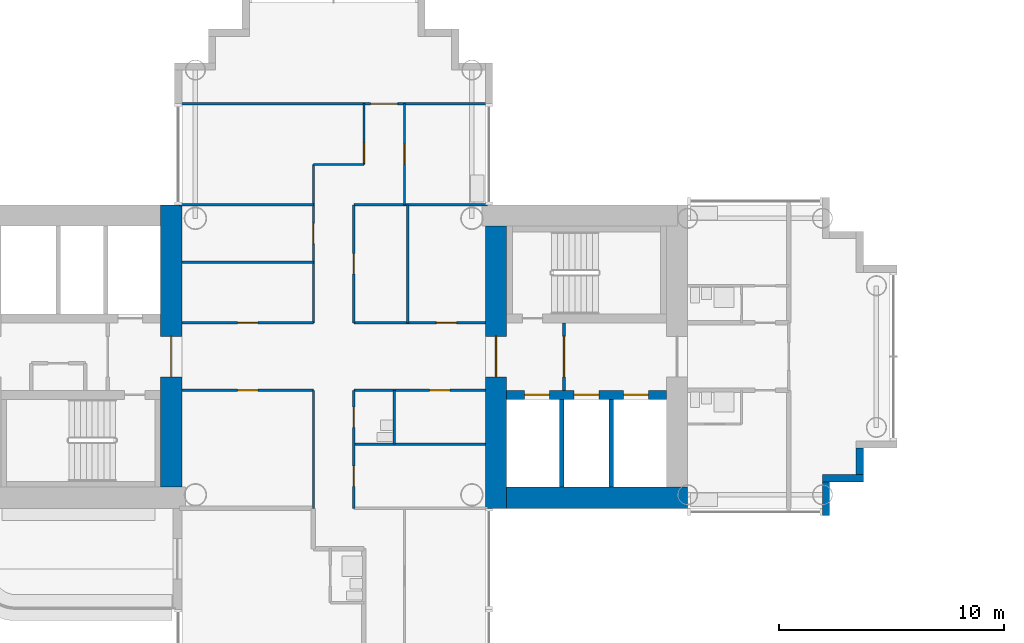
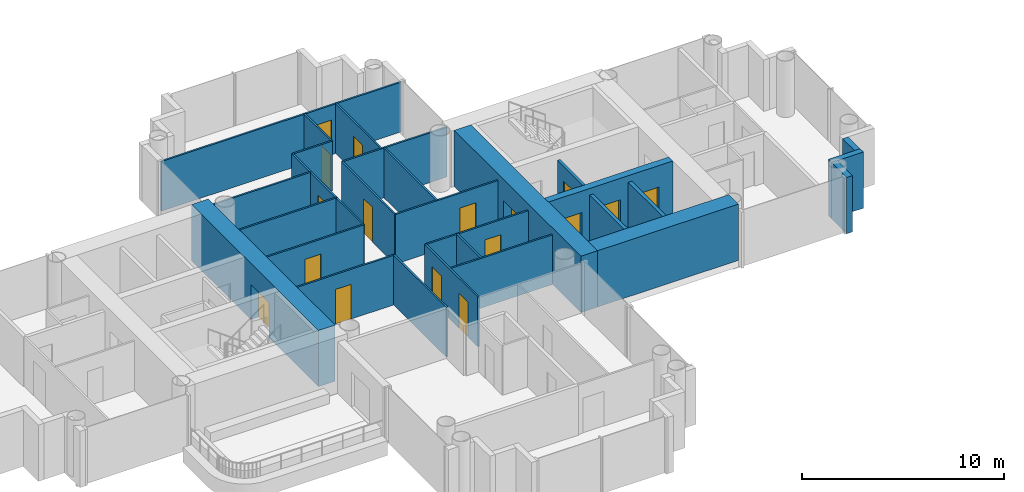
# One storey, part 10 of 21: 28 walls, 17 doors, 17 openings.
"""IFC4 building model written with IfcOpenShell, lengths in metres."""

from ifc_helpers import new_model, si_unit, direction, frame, frame_2d, origin, place, context, subcontext, project, spatial, rectangle, extrude, material, layer, layer_set, type_object, element, fill, save


model = new_model("IFC4")

# Units and contexts
model_context = context("Model", 3, precision=1e-05, world=origin(), true_north=direction((0.0, 1.0)))
body_context = subcontext(model_context, "Body", "Model", "MODEL_VIEW")
ifc_project = project(units=[si_unit("LENGTHUNIT", "METRE"), si_unit("AREAUNIT", "SQUARE_METRE"), si_unit("VOLUMEUNIT", "CUBIC_METRE"), si_unit("PLANEANGLEUNIT", "RADIAN"), si_unit("MASSUNIT", "GRAM", prefix="KILO")], contexts=[model_context])

# Site, building, storey
site_placement = place(None, origin())
site = spatial("IfcSite", under=ifc_project, at=site_placement, CompositionType="ELEMENT")
building_placement = place(site_placement, origin())
building = spatial("IfcBuilding", under=site, at=building_placement, Name="Ipe Terrace Towers", CompositionType="ELEMENT")
storey_placement = place(building_placement, frame((0.0, 0.0, 97.0)))
storey = spatial("IfcBuildingStorey", under=building, at=storey_placement, Name="L26", CompositionType="ELEMENT", Elevation=97.0)

# Walls
ifc_material_1 = material(Name="Concrete C40/50 with buff precast cladding", Category="concrete")
ifc_layer_1 = layer(ifc_material_1, 0.320068359375)
ifc_layer_set_1 = layer_set([ifc_layer_1], Name="BUFF CLADDING WALL 320")
wall_type_1 = type_object("IfcWallType", Name="BUFF CLADDING WALL 320", PredefinedType="STANDARD", material=ifc_layer_set_1)
wall_1_placement = place(storey_placement, frame((-14.090087890625, -7.070068359375, -0.300048828125), z_axis=(0.0, 0.0, 1.0), x_axis=(0.0, 1.0, 0.0)))
element("IfcWall", 1, at=wall_1_placement, inside=storey, type_object=wall_type_1, Name="T1-W-L26-21a wall", PredefinedType="STANDARD", context=body_context, shape_type="SweptSolid", body=[
    extrude(rectangle(XDim=1.5, YDim=0.320068359375, at=frame_2d((0.75, 0.0))), origin(), (0.0, 0.0, 1.0), 3.400146484375),
])
wall_2_placement = place(storey_placement, frame((-14.25, -5.409912109375, -0.300048828125), z_axis=(0.0, 0.0, 1.0), x_axis=(1.0, 0.0, 0.0)))
element("IfcWall", 2, at=wall_2_placement, inside=storey, type_object=wall_type_1, Name="T1-W-L26-22a wall", PredefinedType="STANDARD", context=body_context, shape_type="SweptSolid", body=[
    extrude(rectangle(XDim=1.820068359375, YDim=0.320068359375, at=frame_2d((0.91015625, 0.0))), origin(), (0.0, 0.0, 1.0), 3.400146484375),
])
wall_3_placement = place(storey_placement, frame((-12.590087890625, -5.25, -0.300048828125), z_axis=(0.0, 0.0, 1.0), x_axis=(0.0, 1.0, 0.0)))
element("IfcWall", 3, at=wall_3_placement, inside=storey, type_object=wall_type_1, Name="T1-W-L26-23a wall", PredefinedType="STANDARD", context=body_context, shape_type="SweptSolid", body=[
    extrude(rectangle(XDim=1.179931640625, YDim=0.320068359375, at=frame_2d((0.58984375, 0.0))), origin(), (0.0, 0.0, 1.0), 3.400146484375),
])
ifc_material_2 = material(Name="Gypsum board partition", Category="plasterboard")
ifc_layer_2 = layer(ifc_material_2, 0.10009765625)
ifc_layer_set_2 = layer_set([ifc_layer_2], Name="Gypsum board partition 100 mm")
wall_type_2 = type_object("IfcWallType", Name="Gypsum board partition 100 mm", PredefinedType="PARTITIONING", material=ifc_layer_set_2)
wall_4_placement = place(storey_placement, frame((-36.89990234375, -6.75, 0.0), z_axis=(0.0, 0.0, 1.0), x_axis=(0.0, 1.0, 0.0)))
element("IfcWall", 4, at=wall_4_placement, inside=storey, type_object=wall_type_2, Name="Gypsum board partition T1 L26 W04", PredefinedType="PARTITIONING", context=body_context, shape_type="SweptSolid", body=[
    extrude(rectangle(XDim=5.25, YDim=0.10009765625, at=frame_2d((2.625, 0.0))), origin(), (0.0, 0.0, 1.0), 3.0),
])

# Wall, opening, door
wall_5_placement = place(storey_placement, frame((-36.89990234375, 1.5, 0.0), z_axis=(0.0, 0.0, 1.0), x_axis=(0.0, 1.0, 0.0)))
wall_5 = element("IfcWall", 5, at=wall_5_placement, inside=storey, type_object=wall_type_2, Name="Gypsum board partition T1 L26 W05", PredefinedType="PARTITIONING", context=body_context, shape_type="SweptSolid", body=[
    extrude(rectangle(XDim=7.050048828125, YDim=0.10009765625, at=frame_2d((3.52490234375, 0.0))), origin(), (0.0, 0.0, 1.0), 3.0),
])
opening_1_placement = place(wall_5_placement, frame((3.52490234375, 0.0, 0.0)))
opening_1 = element("IfcOpeningElement", 6, at=opening_1_placement, cuts=wall_5, Name="Opening T1-Z2E-05", PredefinedType="OPENING", context=body_context, shape_type="SweptSolid", body=[
    extrude(rectangle(XDim=0.89990234375, YDim=2.10009765625, at=frame_2d((0.449951171875, 1.050048828125))), frame((0.0, 0.06005859375, 0.0), z_axis=(0.0, -1.0, 0.0), x_axis=(1.0, 0.0, 0.0)), (0.0, 0.0, 1.0), 0.1201171875),
])
ifc_material_3 = material(Name="Timber door leaf", Category="wood")
door_type_1 = type_object("IfcDoorType", Name="Lounge door 900 x 2100", OperationType="NOTDEFINED", PredefinedType="DOOR", material=ifc_material_3)
door_1_placement = place(opening_1_placement, origin())
door_1 = element("IfcDoor", 7, at=door_1_placement, inside=storey, type_object=door_type_1, Name="Lounge door T1-Z2E-05", OperationType="SINGLE_SWING_LEFT", OverallHeight=2.10009765625, OverallWidth=0.89990234375, PredefinedType="DOOR", context=body_context, shape_type="SweptSolid", body=[
    extrude(rectangle(XDim=0.89990234375, YDim=2.10009765625, at=frame_2d((0.449951171875, 1.050048828125))), frame((0.0, 0.02490234375, 0.0), z_axis=(0.0, -1.0, 0.0), x_axis=(1.0, 0.0, 0.0)), (0.0, 0.0, 1.0), 0.050048828125),
])
fill(opening_1, door_1)

# Wall, openings, doors
wall_6_placement = place(storey_placement, frame((-35.10009765625, -6.75, 0.0), z_axis=(0.0, 0.0, 1.0), x_axis=(0.0, 1.0, 0.0)))
wall_6 = element("IfcWall", 8, at=wall_6_placement, inside=storey, type_object=wall_type_2, Name="Gypsum board partition T1 L26 W08", PredefinedType="PARTITIONING", context=body_context, shape_type="SweptSolid", body=[
    extrude(rectangle(XDim=5.25, YDim=0.10009765625, at=frame_2d((2.625, 0.0))), origin(), (0.0, 0.0, 1.0), 3.0),
])
opening_2_placement = place(wall_6_placement, frame((3.60009765625, 0.0, 0.0)))
opening_2 = element("IfcOpeningElement", 9, at=opening_2_placement, cuts=wall_6, Name="Opening T1-Z2E-01", PredefinedType="OPENING", context=body_context, shape_type="SweptSolid", body=[
    extrude(rectangle(XDim=0.89990234375, YDim=2.10009765625, at=frame_2d((0.449951171875, 1.050048828125))), frame((0.0, 0.06005859375, 0.0), z_axis=(0.0, -1.0, 0.0), x_axis=(1.0, 0.0, 0.0)), (0.0, 0.0, 1.0), 0.1201171875),
])
opening_3_placement = place(wall_6_placement, frame((0.97509765625, 0.0, 0.0)))
opening_3 = element("IfcOpeningElement", 10, at=opening_3_placement, cuts=wall_6, Name="Opening T1-Z2E-08", PredefinedType="OPENING", context=body_context, shape_type="SweptSolid", body=[
    extrude(rectangle(XDim=0.89990234375, YDim=2.10009765625, at=frame_2d((0.449951171875, 1.050048828125))), frame((0.0, 0.06005859375, 0.0), z_axis=(0.0, -1.0, 0.0), x_axis=(1.0, 0.0, 0.0)), (0.0, 0.0, 1.0), 0.1201171875),
])
ifc_material_4 = material(Name="Timber door leaf", Category="wood")
door_type_2 = type_object("IfcDoorType", Name="Bathroom door 900 x 2100", OperationType="NOTDEFINED", PredefinedType="DOOR", material=ifc_material_4)
door_2_placement = place(opening_2_placement, origin())
door_2 = element("IfcDoor", 11, at=door_2_placement, inside=storey, type_object=door_type_2, Name="Bathroom door T1-Z2E-01", OperationType="SINGLE_SWING_RIGHT", OverallHeight=2.10009765625, OverallWidth=0.89990234375, PredefinedType="DOOR", context=body_context, shape_type="SweptSolid", body=[
    extrude(rectangle(XDim=0.89990234375, YDim=2.10009765625, at=frame_2d((0.449951171875, 1.050048828125))), frame((0.0, 0.02490234375, 0.0), z_axis=(0.0, -1.0, 0.0), x_axis=(1.0, 0.0, 0.0)), (0.0, 0.0, 1.0), 0.050048828125),
])
fill(opening_2, door_2)
door_3_placement = place(opening_3_placement, origin())
door_3 = element("IfcDoor", 12, at=door_3_placement, inside=storey, type_object=door_type_1, Name="Lounge door T1-Z2E-08", OperationType="SINGLE_SWING_LEFT", OverallHeight=2.10009765625, OverallWidth=0.89990234375, PredefinedType="DOOR", context=body_context, shape_type="SweptSolid", body=[
    extrude(rectangle(XDim=0.89990234375, YDim=2.10009765625, at=frame_2d((0.449951171875, 1.050048828125))), frame((0.0, 0.02490234375, 0.0), z_axis=(0.0, -1.0, 0.0), x_axis=(1.0, 0.0, 0.0)), (0.0, 0.0, 1.0), 0.050048828125),
])
fill(opening_3, door_3)

# Wall, opening, door
wall_7_placement = place(storey_placement, frame((-35.10009765625, 1.5, 0.0), z_axis=(0.0, 0.0, 1.0), x_axis=(0.0, 1.0, 0.0)))
wall_7 = element("IfcWall", 13, at=wall_7_placement, inside=storey, type_object=wall_type_2, Name="Gypsum board partition T1 L26 W09", PredefinedType="PARTITIONING", context=body_context, shape_type="SweptSolid", body=[
    extrude(rectangle(XDim=5.25, YDim=0.10009765625, at=frame_2d((2.625, 0.0))), origin(), (0.0, 0.0, 1.0), 3.0),
])
opening_4_placement = place(wall_7_placement, frame((2.175048828125, 0.0, 0.0)))
opening_4 = element("IfcOpeningElement", 14, at=opening_4_placement, cuts=wall_7, Name="Opening T1-Z2E-02", PredefinedType="OPENING", context=body_context, shape_type="SweptSolid", body=[
    extrude(rectangle(XDim=0.89990234375, YDim=2.10009765625, at=frame_2d((0.449951171875, 1.050048828125))), frame((0.0, 0.06005859375, 0.0), z_axis=(0.0, -1.0, 0.0), x_axis=(1.0, 0.0, 0.0)), (0.0, 0.0, 1.0), 0.1201171875),
])
door_4_placement = place(opening_4_placement, origin())
door_4 = element("IfcDoor", 15, at=door_4_placement, inside=storey, type_object=door_type_1, Name="Lounge door T1-Z2E-02", OperationType="SINGLE_SWING_RIGHT", OverallHeight=2.10009765625, OverallWidth=0.89990234375, PredefinedType="DOOR", context=body_context, shape_type="SweptSolid", body=[
    extrude(rectangle(XDim=0.89990234375, YDim=2.10009765625, at=frame_2d((0.449951171875, 1.050048828125))), frame((0.0, 0.02490234375, 0.0), z_axis=(0.0, -1.0, 0.0), x_axis=(1.0, 0.0, 0.0)), (0.0, 0.0, 1.0), 0.050048828125),
])
fill(opening_4, door_4)

wall_8_placement = place(storey_placement, frame((-34.64990234375, 8.550048828125, 0.0), z_axis=(0.0, 0.0, 1.0), x_axis=(0.0, 1.0, 0.0)))
wall_8 = element("IfcWall", 16, at=wall_8_placement, inside=storey, type_object=wall_type_2, Name="Gypsum board partition T1 L26 W10", PredefinedType="PARTITIONING", context=body_context, shape_type="SweptSolid", body=[
    extrude(rectangle(XDim=2.699951171875, YDim=0.10009765625, at=frame_2d((1.35009765625, 0.0))), origin(), (0.0, 0.0, 1.0), 3.0),
])
opening_5_placement = place(wall_8_placement, frame((0.070068359375, 0.0, 0.0)))
opening_5 = element("IfcOpeningElement", 17, at=opening_5_placement, cuts=wall_8, Name="Opening T1-Z2E-09", PredefinedType="OPENING", context=body_context, shape_type="SweptSolid", body=[
    extrude(rectangle(XDim=0.89990234375, YDim=2.10009765625, at=frame_2d((0.449951171875, 1.050048828125))), frame((0.0, 0.06005859375, 0.0), z_axis=(0.0, -1.0, 0.0), x_axis=(1.0, 0.0, 0.0)), (0.0, 0.0, 1.0), 0.1201171875),
])
door_5_placement = place(opening_5_placement, origin())
door_5 = element("IfcDoor", 18, at=door_5_placement, inside=storey, type_object=door_type_1, Name="Lounge door T1-Z2E-09", OperationType="SINGLE_SWING_RIGHT", OverallHeight=2.10009765625, OverallWidth=0.89990234375, PredefinedType="DOOR", context=body_context, shape_type="SweptSolid", body=[
    extrude(rectangle(XDim=0.89990234375, YDim=2.10009765625, at=frame_2d((0.449951171875, 1.050048828125))), frame((0.0, 0.02490234375, 0.0), z_axis=(0.0, -1.0, 0.0), x_axis=(1.0, 0.0, 0.0)), (0.0, 0.0, 1.0), 0.050048828125),
])
fill(opening_5, door_5)

# Wall
wall_9_placement = place(storey_placement, frame((-33.300048828125, -3.89990234375, 0.0), z_axis=(0.0, 0.0, 1.0), x_axis=(0.0, 1.0, 0.0)))
element("IfcWall", 19, at=wall_9_placement, inside=storey, type_object=wall_type_2, Name="Gypsum board partition T1 L26 W12", PredefinedType="PARTITIONING", context=body_context, shape_type="SweptSolid", body=[
    extrude(rectangle(XDim=2.39990234375, YDim=0.10009765625, at=frame_2d((1.199951171875, 0.0))), origin(), (0.0, 0.0, 1.0), 3.0),
])

# Wall, opening, door
wall_10_placement = place(storey_placement, frame((-32.85009765625, 6.75, 0.0), z_axis=(0.0, 0.0, 1.0), x_axis=(0.0, 1.0, 0.0)))
wall_10 = element("IfcWall", 20, at=wall_10_placement, inside=storey, type_object=wall_type_2, Name="Gypsum board partition T1 L26 W14", PredefinedType="PARTITIONING", context=body_context, shape_type="SweptSolid", body=[
    extrude(rectangle(XDim=4.5, YDim=0.10009765625, at=frame_2d((2.25, 0.0))), origin(), (0.0, 0.0, 1.0), 3.0),
])
opening_6_placement = place(wall_10_placement, frame((1.800048828125, 0.0, 0.0)))
opening_6 = element("IfcOpeningElement", 21, at=opening_6_placement, cuts=wall_10, Name="Opening T1-Z2E-10", PredefinedType="OPENING", context=body_context, shape_type="SweptSolid", body=[
    extrude(rectangle(XDim=0.89990234375, YDim=2.10009765625, at=frame_2d((0.449951171875, 1.050048828125))), frame((0.0, 0.06005859375, 0.0), z_axis=(0.0, -1.0, 0.0), x_axis=(1.0, 0.0, 0.0)), (0.0, 0.0, 1.0), 0.1201171875),
])
door_6_placement = place(opening_6_placement, origin())
door_6 = element("IfcDoor", 22, at=door_6_placement, inside=storey, type_object=door_type_1, Name="Lounge door T1-Z2E-10", OperationType="SINGLE_SWING_RIGHT", OverallHeight=2.10009765625, OverallWidth=0.89990234375, PredefinedType="DOOR", context=body_context, shape_type="SweptSolid", body=[
    extrude(rectangle(XDim=0.89990234375, YDim=2.10009765625, at=frame_2d((0.449951171875, 1.050048828125))), frame((0.0, 0.02490234375, 0.0), z_axis=(0.0, -1.0, 0.0), x_axis=(1.0, 0.0, 0.0)), (0.0, 0.0, 1.0), 0.050048828125),
])
fill(opening_6, door_6)

# Walls
wall_11_placement = place(storey_placement, frame((-32.699951171875, 1.5, 0.0), z_axis=(0.0, 0.0, 1.0), x_axis=(0.0, 1.0, 0.0)))
element("IfcWall", 23, at=wall_11_placement, inside=storey, type_object=wall_type_2, Name="Gypsum board partition T1 L26 W15", PredefinedType="PARTITIONING", context=body_context, shape_type="SweptSolid", body=[
    extrude(rectangle(XDim=5.25, YDim=0.10009765625, at=frame_2d((2.625, 0.0))), origin(), (0.0, 0.0, 1.0), 3.0),
])
wall_12_placement = place(storey_placement, frame((-35.10009765625, -3.89990234375, 0.0), z_axis=(0.0, 0.0, 1.0), x_axis=(1.0, 0.0, 0.0)))
element("IfcWall", 24, at=wall_12_placement, inside=storey, type_object=wall_type_2, Name="Gypsum board partition T1 L26 W27", PredefinedType="PARTITIONING", context=body_context, shape_type="SweptSolid", body=[
    extrude(rectangle(XDim=5.85009765625, YDim=0.10009765625, at=frame_2d((2.925048828125, 0.0))), origin(), (0.0, 0.0, 1.0), 3.0),
])

# Wall, opening, door
wall_13_placement = place(storey_placement, frame((-42.75, -1.5, 0.0), z_axis=(0.0, 0.0, 1.0), x_axis=(1.0, 0.0, 0.0)))
wall_13 = element("IfcWall", 25, at=wall_13_placement, inside=storey, type_object=wall_type_2, Name="Gypsum board partition T1 L26 W30", PredefinedType="PARTITIONING", context=body_context, shape_type="SweptSolid", body=[
    extrude(rectangle(XDim=5.85009765625, YDim=0.10009765625, at=frame_2d((2.925048828125, 0.0))), origin(), (0.0, 0.0, 1.0), 3.0),
])
opening_7_placement = place(wall_13_placement, frame((2.47509765625, 0.0, 0.0)))
opening_7 = element("IfcOpeningElement", 26, at=opening_7_placement, cuts=wall_13, Name="Opening T1-Z2E-06", PredefinedType="OPENING", context=body_context, shape_type="SweptSolid", body=[
    extrude(rectangle(XDim=0.89990234375, YDim=2.10009765625, at=frame_2d((0.449951171875, 1.050048828125))), frame((0.0, 0.06005859375, 0.0), z_axis=(0.0, -1.0, 0.0), x_axis=(1.0, 0.0, 0.0)), (0.0, 0.0, 1.0), 0.1201171875),
])
door_7_placement = place(opening_7_placement, origin())
door_7 = element("IfcDoor", 27, at=door_7_placement, inside=storey, type_object=door_type_1, Name="Lounge door T1-Z2E-06", OperationType="SINGLE_SWING_LEFT", OverallHeight=2.10009765625, OverallWidth=0.89990234375, PredefinedType="DOOR", context=body_context, shape_type="SweptSolid", body=[
    extrude(rectangle(XDim=0.89990234375, YDim=2.10009765625, at=frame_2d((0.449951171875, 1.050048828125))), frame((0.0, 0.02490234375, 0.0), z_axis=(0.0, -1.0, 0.0), x_axis=(1.0, 0.0, 0.0)), (0.0, 0.0, 1.0), 0.050048828125),
])
fill(opening_7, door_7)

wall_14_placement = place(storey_placement, frame((-35.10009765625, -1.5, 0.0), z_axis=(0.0, 0.0, 1.0), x_axis=(1.0, 0.0, 0.0)))
wall_14 = element("IfcWall", 28, at=wall_14_placement, inside=storey, type_object=wall_type_2, Name="Gypsum board partition T1 L26 W31", PredefinedType="PARTITIONING", context=body_context, shape_type="SweptSolid", body=[
    extrude(rectangle(XDim=5.85009765625, YDim=0.10009765625, at=frame_2d((2.925048828125, 0.0))), origin(), (0.0, 0.0, 1.0), 3.0),
])
opening_8_placement = place(wall_14_placement, frame((3.375, 0.0, 0.0)))
opening_8 = element("IfcOpeningElement", 29, at=opening_8_placement, cuts=wall_14, Name="Opening T1-Z2E-07", PredefinedType="OPENING", context=body_context, shape_type="SweptSolid", body=[
    extrude(rectangle(XDim=0.89990234375, YDim=2.10009765625, at=frame_2d((0.449951171875, 1.050048828125))), frame((0.0, 0.06005859375, 0.0), z_axis=(0.0, -1.0, 0.0), x_axis=(1.0, 0.0, 0.0)), (0.0, 0.0, 1.0), 0.1201171875),
])
door_8_placement = place(opening_8_placement, origin())
door_8 = element("IfcDoor", 30, at=door_8_placement, inside=storey, type_object=door_type_1, Name="Lounge door T1-Z2E-07", OperationType="SINGLE_SWING_RIGHT", OverallHeight=2.10009765625, OverallWidth=0.89990234375, PredefinedType="DOOR", context=body_context, shape_type="SweptSolid", body=[
    extrude(rectangle(XDim=0.89990234375, YDim=2.10009765625, at=frame_2d((0.449951171875, 1.050048828125))), frame((0.0, 0.02490234375, 0.0), z_axis=(0.0, -1.0, 0.0), x_axis=(1.0, 0.0, 0.0)), (0.0, 0.0, 1.0), 0.050048828125),
])
fill(opening_8, door_8)

wall_15_placement = place(storey_placement, frame((-42.75, 1.5, 0.0), z_axis=(0.0, 0.0, 1.0), x_axis=(1.0, 0.0, 0.0)))
wall_15 = element("IfcWall", 31, at=wall_15_placement, inside=storey, type_object=wall_type_2, Name="Gypsum board partition T1 L26 W33", PredefinedType="PARTITIONING", context=body_context, shape_type="SweptSolid", body=[
    extrude(rectangle(XDim=5.85009765625, YDim=0.10009765625, at=frame_2d((2.925048828125, 0.0))), origin(), (0.0, 0.0, 1.0), 3.0),
])
opening_9_placement = place(wall_15_placement, frame((2.47509765625, 0.0, 0.0)))
opening_9 = element("IfcOpeningElement", 32, at=opening_9_placement, cuts=wall_15, Name="Opening T1-Z2E-04", PredefinedType="OPENING", context=body_context, shape_type="SweptSolid", body=[
    extrude(rectangle(XDim=0.89990234375, YDim=2.10009765625, at=frame_2d((0.449951171875, 1.050048828125))), frame((0.0, 0.06005859375, 0.0), z_axis=(0.0, -1.0, 0.0), x_axis=(1.0, 0.0, 0.0)), (0.0, 0.0, 1.0), 0.1201171875),
])
door_9_placement = place(opening_9_placement, origin())
door_9 = element("IfcDoor", 33, at=door_9_placement, inside=storey, type_object=door_type_1, Name="Lounge door T1-Z2E-04", OperationType="SINGLE_SWING_RIGHT", OverallHeight=2.10009765625, OverallWidth=0.89990234375, PredefinedType="DOOR", context=body_context, shape_type="SweptSolid", body=[
    extrude(rectangle(XDim=0.89990234375, YDim=2.10009765625, at=frame_2d((0.449951171875, 1.050048828125))), frame((0.0, 0.02490234375, 0.0), z_axis=(0.0, -1.0, 0.0), x_axis=(1.0, 0.0, 0.0)), (0.0, 0.0, 1.0), 0.050048828125),
])
fill(opening_9, door_9)

wall_16_placement = place(storey_placement, frame((-35.10009765625, 1.5, 0.0), z_axis=(0.0, 0.0, 1.0), x_axis=(1.0, 0.0, 0.0)))
wall_16 = element("IfcWall", 34, at=wall_16_placement, inside=storey, type_object=wall_type_2, Name="Gypsum board partition T1 L26 W34", PredefinedType="PARTITIONING", context=body_context, shape_type="SweptSolid", body=[
    extrude(rectangle(XDim=5.85009765625, YDim=0.10009765625, at=frame_2d((2.925048828125, 0.0))), origin(), (0.0, 0.0, 1.0), 3.0),
])
opening_10_placement = place(wall_16_placement, frame((3.675048828125, 0.0, 0.0)))
opening_10 = element("IfcOpeningElement", 35, at=opening_10_placement, cuts=wall_16, Name="Opening T1-Z2E-03", PredefinedType="OPENING", context=body_context, shape_type="SweptSolid", body=[
    extrude(rectangle(XDim=0.89990234375, YDim=2.10009765625, at=frame_2d((0.449951171875, 1.050048828125))), frame((0.0, 0.06005859375, 0.0), z_axis=(0.0, -1.0, 0.0), x_axis=(1.0, 0.0, 0.0)), (0.0, 0.0, 1.0), 0.1201171875),
])
door_10_placement = place(opening_10_placement, origin())
door_10 = element("IfcDoor", 36, at=door_10_placement, inside=storey, type_object=door_type_1, Name="Lounge door T1-Z2E-03", OperationType="SINGLE_SWING_LEFT", OverallHeight=2.10009765625, OverallWidth=0.89990234375, PredefinedType="DOOR", context=body_context, shape_type="SweptSolid", body=[
    extrude(rectangle(XDim=0.89990234375, YDim=2.10009765625, at=frame_2d((0.449951171875, 1.050048828125))), frame((0.0, 0.02490234375, 0.0), z_axis=(0.0, -1.0, 0.0), x_axis=(1.0, 0.0, 0.0)), (0.0, 0.0, 1.0), 0.050048828125),
])
fill(opening_10, door_10)

# Walls
wall_17_placement = place(storey_placement, frame((-42.75, 4.199951171875, 0.0), z_axis=(0.0, 0.0, 1.0), x_axis=(1.0, 0.0, 0.0)))
element("IfcWall", 37, at=wall_17_placement, inside=storey, type_object=wall_type_2, Name="Gypsum board partition T1 L26 W39", PredefinedType="PARTITIONING", context=body_context, shape_type="SweptSolid", body=[
    extrude(rectangle(XDim=5.85009765625, YDim=0.10009765625, at=frame_2d((2.925048828125, 0.0))), origin(), (0.0, 0.0, 1.0), 3.0),
])
for number, where, z_axis, x_axis, name in (
    (38, (-42.85009765625, 6.75, 0.0), (0.0, 0.0, 1.0), (1.0, 0.0, 0.0), "Gypsum board partition T1 L26 W40"),
    (39, (-35.10009765625, 6.75, 0.0), (0.0, 0.0, 1.0), (1.0, 0.0, 0.0), "Gypsum board partition T1 L26 W41"),
):
    element("IfcWall", number, at=place(storey_placement, frame(where, z_axis=z_axis, x_axis=x_axis)), inside=storey, type_object=wall_type_2, Name=name, PredefinedType="PARTITIONING", context=body_context, shape_type="SweptSolid", body=[
        extrude(rectangle(XDim=5.9501953125, YDim=0.10009765625, at=frame_2d((2.97509765625, 0.0))), origin(), (0.0, 0.0, 1.0), 3.0),
    ])
wall_18_placement = place(storey_placement, frame((-36.89990234375, 8.550048828125, 0.0), z_axis=(0.0, 0.0, 1.0), x_axis=(1.0, 0.0, 0.0)))
element("IfcWall", 40, at=wall_18_placement, inside=storey, type_object=wall_type_2, Name="Gypsum board partition T1 L26 W42", PredefinedType="PARTITIONING", context=body_context, shape_type="SweptSolid", body=[
    extrude(rectangle(XDim=2.25, YDim=0.10009765625, at=frame_2d((1.125, 0.0))), origin(), (0.0, 0.0, 1.0), 3.0),
])

# Wall, opening, door
wall_19_placement = place(storey_placement, frame((-42.85009765625, 11.25, 0.0), z_axis=(0.0, 0.0, 1.0), x_axis=(1.0, 0.0, 0.0)))
wall_19 = element("IfcWall", 41, at=wall_19_placement, inside=storey, type_object=wall_type_2, Name="Gypsum board partition T1 L26 W43", PredefinedType="PARTITIONING", context=body_context, shape_type="SweptSolid", body=[
    extrude(rectangle(XDim=13.7001953125, YDim=0.10009765625, at=frame_2d((6.85009765625, 0.0))), origin(), (0.0, 0.0, 1.0), 3.0),
])
opening_11_placement = place(wall_19_placement, frame((8.5, 0.0, 0.0)))
opening_11 = element("IfcOpeningElement", 42, at=opening_11_placement, cuts=wall_19, Name="Opening T1-Z2E-11", PredefinedType="OPENING", context=body_context, shape_type="SweptSolid", body=[
    extrude(rectangle(XDim=1.199951171875, YDim=2.10009765625, at=frame_2d((0.60009765625, 1.050048828125))), frame((0.0, 0.06005859375, 0.0), z_axis=(0.0, -1.0, 0.0), x_axis=(1.0, 0.0, 0.0)), (0.0, 0.0, 1.0), 0.1201171875),
])
ifc_material_5 = material(Name="Timber door leaf", Category="wood")
door_type_3 = type_object("IfcDoorType", Name="Lounge door 1200 x 2100", OperationType="NOTDEFINED", PredefinedType="DOOR", material=ifc_material_5)
door_11_placement = place(opening_11_placement, origin())
door_11 = element("IfcDoor", 43, at=door_11_placement, inside=storey, type_object=door_type_3, Name="Lounge door T1-Z2E-11", OperationType="SINGLE_SWING_LEFT", OverallHeight=2.10009765625, OverallWidth=1.199951171875, PredefinedType="DOOR", context=body_context, shape_type="SweptSolid", body=[
    extrude(rectangle(XDim=1.199951171875, YDim=2.10009765625, at=frame_2d((0.60009765625, 1.050048828125))), frame((0.0, 0.02490234375, 0.0), z_axis=(0.0, -1.0, 0.0), x_axis=(1.0, 0.0, 0.0)), (0.0, 0.0, 1.0), 0.050048828125),
])
fill(opening_11, door_11)

ifc_material_6 = material(Name="Gypsum board partition", Category="plasterboard")
ifc_layer_3 = layer(ifc_material_6, 0.14990234375)
ifc_layer_set_3 = layer_set([ifc_layer_3], Name="Gypsum board partition 150 mm")
wall_type_3 = type_object("IfcWallType", Name="Gypsum board partition 150 mm", PredefinedType="PARTITIONING", material=ifc_layer_set_3)
wall_20_placement = place(storey_placement, frame((-25.75, -1.5, 0.0), z_axis=(0.0, 0.0, 1.0), x_axis=(0.0, 1.0, 0.0)))
wall_20 = element("IfcWall", 44, at=wall_20_placement, inside=storey, type_object=wall_type_3, Name="Gypsum board partition T1 L26 t1c1-lobby-wall", PredefinedType="PARTITIONING", context=body_context, shape_type="SweptSolid", body=[
    extrude(rectangle(XDim=3.0, YDim=0.14990234375, at=frame_2d((1.5, 0.0))), origin(), (0.0, 0.0, 1.0), 3.0),
])
opening_12_placement = place(wall_20_placement, frame((0.60009765625, 0.0, 0.0)))
opening_12 = element("IfcOpeningElement", 45, at=opening_12_placement, cuts=wall_20, Name="Opening T1C1-VD", PredefinedType="OPENING", context=body_context, shape_type="SweptSolid", body=[
    extrude(rectangle(XDim=1.800048828125, YDim=2.10009765625, at=frame_2d((0.89990234375, 1.050048828125))), frame((0.0, 0.0849609375, 0.0), z_axis=(0.0, -1.0, 0.0), x_axis=(1.0, 0.0, 0.0)), (0.0, 0.0, 1.0), 0.169921875),
])
ifc_material_7 = material(Name="Fire-rated timber door leaf", Category="wood")
door_type_4 = type_object("IfcDoorType", Name="Lobby door 1800 x 2100 FD60", OperationType="NOTDEFINED", PredefinedType="DOOR", material=ifc_material_7)
door_12_placement = place(opening_12_placement, origin())
door_12 = element("IfcDoor", 46, at=door_12_placement, inside=storey, type_object=door_type_4, Name="Lobby door T1C1-VD", OperationType="SINGLE_SWING_LEFT", OverallHeight=2.10009765625, OverallWidth=1.800048828125, PredefinedType="DOOR", context=body_context, shape_type="SweptSolid", body=[
    extrude(rectangle(XDim=1.800048828125, YDim=2.10009765625, at=frame_2d((0.89990234375, 1.050048828125))), frame((0.0, 0.02490234375, 0.0), z_axis=(0.0, -1.0, 0.0), x_axis=(1.0, 0.0, 0.0)), (0.0, 0.0, 1.0), 0.050048828125),
])
fill(opening_12, door_12)

# Walls
ifc_material_8 = material(Name="Gypsum board party wall", Category="plasterboard")
ifc_layer_4 = layer(ifc_material_8, 0.199951171875)
ifc_layer_set_4 = layer_set([ifc_layer_4], Name="Gypsum board party wall 200 mm")
wall_type_4 = type_object("IfcWallType", Name="Gypsum board party wall 200 mm", PredefinedType="SOLIDWALL", material=ifc_layer_set_4)
for number, where, z_axis, x_axis, name in (
    (47, (-25.85009765625, -5.800048828125, 0.0), (0.0, 0.0, 1.0), (0.0, 1.0, 0.0), "Gypsum board party wall T1 L26 t1c1-shaft-div1"),
    (48, (-23.64990234375, -5.800048828125, 0.0), (0.0, 0.0, 1.0), (0.0, 1.0, 0.0), "Gypsum board party wall T1 L26 t1c1-shaft-div2"),
):
    element("IfcWall", number, at=place(storey_placement, frame(where, z_axis=z_axis, x_axis=x_axis)), inside=storey, type_object=wall_type_4, Name=name, PredefinedType="SOLIDWALL", context=body_context, shape_type="SweptSolid", body=[
        extrude(rectangle(XDim=3.900146484375, YDim=0.199951171875, at=frame_2d((1.9501953125, 0.0))), origin(), (0.0, 0.0, 1.0), 3.0),
    ])

# Wall, openings, doors
ifc_material_9 = material(Name="Concrete C50/60", Category="concrete")
ifc_layer_5 = layer(ifc_material_9, 0.39990234375)
ifc_layer_set_5 = layer_set([ifc_layer_5], Name="RW400 CORE SPINE WALL 400 C50-60")
wall_type_5 = type_object("IfcWallType", Name="RW400 CORE SPINE WALL 400 C50-60", PredefinedType="SHEAR", material=ifc_layer_set_5)
wall_21_placement = place(storey_placement, frame((-28.300048828125, -1.699951171875, 0.0), z_axis=(0.0, 0.0, 1.0), x_axis=(1.0, 0.0, 0.0)))
wall_21 = element("IfcWall", 49, at=wall_21_placement, inside=storey, type_object=wall_type_5, Name="Core spine wall T1-C1-Z2-SW1", PredefinedType="SHEAR", context=body_context, shape_type="SweptSolid", body=[
    extrude(rectangle(XDim=7.10009765625, YDim=0.39990234375, at=frame_2d((3.550048828125, 0.0))), origin(), (0.0, 0.0, 1.0), 3.39990234375),
])
opening_13_placement = place(wall_21_placement, frame((0.800048828125, 0.0, 0.0)))
opening_13 = element("IfcOpeningElement", 50, at=opening_13_placement, cuts=wall_21, Name="Opening T1C1-LD1", PredefinedType="OPENING", context=body_context, shape_type="SweptSolid", body=[
    extrude(rectangle(XDim=1.10009765625, YDim=2.10009765625, at=frame_2d((0.550048828125, 1.050048828125))), frame((0.0, 0.2099609375, 0.0), z_axis=(0.0, -1.0, 0.0), x_axis=(1.0, 0.0, 0.0)), (0.0, 0.0, 1.0), 0.419921875),
])
opening_14_placement = place(wall_21_placement, frame((3.0, 0.0, 0.0)))
opening_14 = element("IfcOpeningElement", 51, at=opening_14_placement, cuts=wall_21, Name="Opening T1C1-LD2", PredefinedType="OPENING", context=body_context, shape_type="SweptSolid", body=[
    extrude(rectangle(XDim=1.10009765625, YDim=2.10009765625, at=frame_2d((0.550048828125, 1.050048828125))), frame((0.0, 0.2099609375, 0.0), z_axis=(0.0, -1.0, 0.0), x_axis=(1.0, 0.0, 0.0)), (0.0, 0.0, 1.0), 0.419921875),
])
opening_15_placement = place(wall_21_placement, frame((5.199951171875, 0.0, 0.0)))
opening_15 = element("IfcOpeningElement", 52, at=opening_15_placement, cuts=wall_21, Name="Opening T1C1-LD3", PredefinedType="OPENING", context=body_context, shape_type="SweptSolid", body=[
    extrude(rectangle(XDim=1.10009765625, YDim=2.10009765625, at=frame_2d((0.550048828125, 1.050048828125))), frame((0.0, 0.2099609375, 0.0), z_axis=(0.0, -1.0, 0.0), x_axis=(1.0, 0.0, 0.0)), (0.0, 0.0, 1.0), 0.419921875),
])
ifc_material_10 = material(Name="Fire-rated timber door leaf", Category="wood")
door_type_5 = type_object("IfcDoorType", Name="Sliding door 1100 x 2100 FD60", OperationType="SLIDING_TO_LEFT", PredefinedType="DOOR", material=ifc_material_10)
door_13_placement = place(opening_13_placement, origin())
door_13 = element("IfcDoor", 53, at=door_13_placement, inside=storey, type_object=door_type_5, Name="Sliding door T1C1-LD1", OperationType="SLIDING_TO_LEFT", OverallHeight=2.10009765625, OverallWidth=1.10009765625, PredefinedType="DOOR", context=body_context, shape_type="SweptSolid", body=[
    extrude(rectangle(XDim=1.10009765625, YDim=2.10009765625, at=frame_2d((0.550048828125, 1.050048828125))), frame((0.0, 0.02490234375, 0.0), z_axis=(0.0, -1.0, 0.0), x_axis=(1.0, 0.0, 0.0)), (0.0, 0.0, 1.0), 0.050048828125),
])
fill(opening_13, door_13)
door_14_placement = place(opening_14_placement, origin())
door_14 = element("IfcDoor", 54, at=door_14_placement, inside=storey, type_object=door_type_5, Name="Sliding door T1C1-LD2", OperationType="SLIDING_TO_LEFT", OverallHeight=2.10009765625, OverallWidth=1.10009765625, PredefinedType="DOOR", context=body_context, shape_type="SweptSolid", body=[
    extrude(rectangle(XDim=1.10009765625, YDim=2.10009765625, at=frame_2d((0.550048828125, 1.050048828125))), frame((0.0, 0.02490234375, 0.0), z_axis=(0.0, -1.0, 0.0), x_axis=(1.0, 0.0, 0.0)), (0.0, 0.0, 1.0), 0.050048828125),
])
fill(opening_14, door_14)
door_15_placement = place(opening_15_placement, origin())
door_15 = element("IfcDoor", 55, at=door_15_placement, inside=storey, type_object=door_type_5, Name="Sliding door T1C1-LD3", OperationType="SLIDING_TO_LEFT", OverallHeight=2.10009765625, OverallWidth=1.10009765625, PredefinedType="DOOR", context=body_context, shape_type="SweptSolid", body=[
    extrude(rectangle(XDim=1.10009765625, YDim=2.10009765625, at=frame_2d((0.550048828125, 1.050048828125))), frame((0.0, 0.02490234375, 0.0), z_axis=(0.0, -1.0, 0.0), x_axis=(1.0, 0.0, 0.0)), (0.0, 0.0, 1.0), 0.050048828125),
])
fill(opening_15, door_15)

# Wall
ifc_material_11 = material(Name="Concrete C50/60", Category="concrete")
ifc_layer_6 = layer(ifc_material_11, 0.949951171875)
ifc_layer_set_6 = layer_set([ifc_layer_6], Name="RW950 CORE WALL 950 C50-60")
wall_type_6 = type_object("IfcWallType", Name="RW950 CORE WALL 950 C50-60", PredefinedType="SHEAR", material=ifc_layer_set_6)
wall_22_placement = place(storey_placement, frame((-28.300048828125, -6.27490234375, 0.0), z_axis=(0.0, 0.0, 1.0), x_axis=(1.0, 0.0, 0.0)))
element("IfcWall", 56, at=wall_22_placement, inside=storey, type_object=wall_type_6, Name="Core wall T1-C1-Z2-W01", PredefinedType="SHEAR", context=body_context, shape_type="SweptSolid", body=[
    extrude(rectangle(XDim=8.050048828125, YDim=0.949951171875, at=frame_2d((4.02490234375, 0.0))), origin(), (0.0, 0.0, 1.0), 3.39990234375),
])

# Wall, opening, door
wall_23_placement = place(storey_placement, frame((-28.77490234375, 5.800048828125, 0.0), z_axis=(0.0, 0.0, 1.0), x_axis=(0.0, -1.0, 0.0)))
wall_23 = element("IfcWall", 57, at=wall_23_placement, inside=storey, type_object=wall_type_6, Name="Core wall T1-C1-Z2-W04", PredefinedType="SHEAR", context=body_context, shape_type="SweptSolid", body=[
    extrude(rectangle(XDim=12.550048828125, YDim=0.949951171875, at=frame_2d((6.27490234375, 0.0))), origin(), (0.0, 0.0, 1.0), 3.39990234375),
])
opening_16_placement = place(wall_23_placement, frame((4.89990234375, 0.0, 0.0)))
opening_16 = element("IfcOpeningElement", 58, at=opening_16_placement, cuts=wall_23, Name="Opening T1C1-ND", PredefinedType="OPENING", context=body_context, shape_type="SweptSolid", body=[
    extrude(rectangle(XDim=1.800048828125, YDim=2.10009765625, at=frame_2d((0.89990234375, 1.050048828125))), frame((0.0, 0.48486328125, 0.0), z_axis=(0.0, -1.0, 0.0), x_axis=(1.0, 0.0, 0.0)), (0.0, 0.0, 1.0), 0.969970703125),
])
ifc_material_12 = material(Name="Fire-rated timber door leaf", Category="wood")
door_type_6 = type_object("IfcDoorType", Name="Fire door 1800 x 2100 FD30S", OperationType="NOTDEFINED", PredefinedType="DOOR", material=ifc_material_12)
door_16_placement = place(opening_16_placement, origin())
door_16 = element("IfcDoor", 59, at=door_16_placement, inside=storey, type_object=door_type_6, Name="Fire door T1C1-ND", OperationType="SINGLE_SWING_LEFT", OverallHeight=2.10009765625, OverallWidth=1.800048828125, PredefinedType="DOOR", context=body_context, shape_type="SweptSolid", body=[
    extrude(rectangle(XDim=1.800048828125, YDim=2.10009765625, at=frame_2d((0.89990234375, 1.050048828125))), frame((0.0, 0.02490234375, 0.0), z_axis=(0.0, -1.0, 0.0), x_axis=(1.0, 0.0, 0.0)), (0.0, 0.0, 1.0), 0.050048828125),
])
fill(opening_16, door_16)

wall_24_placement = place(storey_placement, frame((-43.22509765625, -5.800048828125, 0.0), z_axis=(0.0, 0.0, 1.0), x_axis=(0.0, 1.0, 0.0)))
wall_24 = element("IfcWall", 60, at=wall_24_placement, inside=storey, type_object=wall_type_6, Name="Core wall T1-C2-Z2-W02", PredefinedType="SHEAR", context=body_context, shape_type="SweptSolid", body=[
    extrude(rectangle(XDim=12.550048828125, YDim=0.949951171875, at=frame_2d((6.27490234375, 0.0))), origin(), (0.0, 0.0, 1.0), 3.39990234375),
])
opening_17_placement = place(wall_24_placement, frame((4.89990234375, 0.0, 0.0)))
opening_17 = element("IfcOpeningElement", 61, at=opening_17_placement, cuts=wall_24, Name="Opening T1C2-ND", PredefinedType="OPENING", context=body_context, shape_type="SweptSolid", body=[
    extrude(rectangle(XDim=1.800048828125, YDim=2.10009765625, at=frame_2d((0.89990234375, 1.050048828125))), frame((0.0, 0.48486328125, 0.0), z_axis=(0.0, -1.0, 0.0), x_axis=(1.0, 0.0, 0.0)), (0.0, 0.0, 1.0), 0.969970703125),
])
door_17_placement = place(opening_17_placement, origin())
door_17 = element("IfcDoor", 62, at=door_17_placement, inside=storey, type_object=door_type_6, Name="Fire door T1C2-ND", OperationType="SINGLE_SWING_LEFT", OverallHeight=2.10009765625, OverallWidth=1.800048828125, PredefinedType="DOOR", context=body_context, shape_type="SweptSolid", body=[
    extrude(rectangle(XDim=1.800048828125, YDim=2.10009765625, at=frame_2d((0.89990234375, 1.050048828125))), frame((0.0, 0.02490234375, 0.0), z_axis=(0.0, -1.0, 0.0), x_axis=(1.0, 0.0, 0.0)), (0.0, 0.0, 1.0), 0.050048828125),
])
fill(opening_17, door_17)

save(model, "model.ifc")
